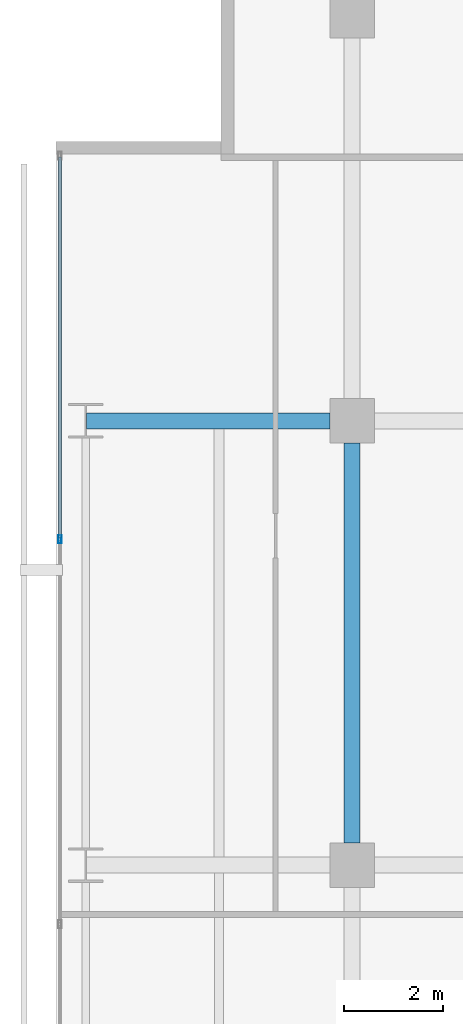
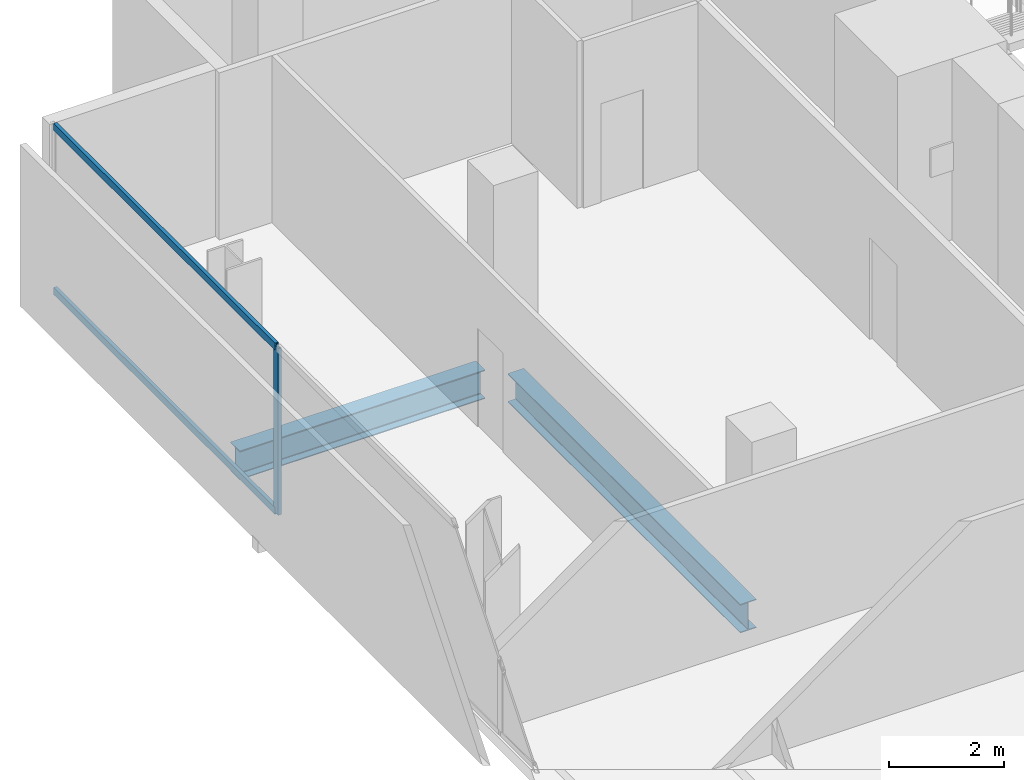
# One storey, part 23 of 39: 3 members, 2 beams, 1 element without a shape of its own.
"""IFC4 building model written with IfcOpenShell, lengths in metres."""

from ifc_helpers import new_model, si_unit, direction, frame, origin, origin_2d, place, context, subcontext, project, spatial, hollow_rectangle, i_section, extrude, material, layer, layer_set, material_profile, profile_set, type_object, element, aggregate, save


model = new_model("IFC4")

# Units and contexts
model_context = context("Model", 3, precision=1e-05, world=origin(), true_north=direction((0.0, 1.0)))
body_context = subcontext(model_context, "Body", "Model", "MODEL_VIEW")
ifc_project = project(units=[si_unit("LENGTHUNIT", "METRE"), si_unit("AREAUNIT", "SQUARE_METRE"), si_unit("VOLUMEUNIT", "CUBIC_METRE"), si_unit("PLANEANGLEUNIT", "RADIAN"), si_unit("MASSUNIT", "GRAM", prefix="KILO")], contexts=[model_context])

# Site, building, storey
site_placement = place(None, origin())
site = spatial("IfcSite", under=ifc_project, at=site_placement, CompositionType="ELEMENT")
building_placement = place(site_placement, origin())
building = spatial("IfcBuilding", under=site, at=building_placement, Name="Maruvema Waterfront Hotel and Observation Tower", CompositionType="ELEMENT")
storey_placement = place(building_placement, frame((0.0, 0.0, 111.64990234375)))
storey = spatial("IfcBuildingStorey", under=building, at=storey_placement, Name="L27", CompositionType="ELEMENT", Elevation=111.64990234375)

# Curtain wall, members
ifc_material_1 = material(Name="Anodised bronze aluminium and solar-control low-E IGU", Category="aluminium")
ifc_layer = layer(ifc_material_1, 0.159912109375, Name="Zone 1 Bronze Inner Thermal Curtain Wall System CW-02")
ifc_layer_set = layer_set([ifc_layer], Name="Anodised bronze aluminium and solar-control low-E IGU")
curtain_wall_type = type_object("IfcCurtainWallType", Name="Zone 1 Bronze Inner Thermal Curtain Wall System CW-02", PredefinedType="USERDEFINED", material=ifc_layer_set)
curtain_wall_placement = place(storey_placement, origin())
curtain_wall = element("IfcCurtainWall", 1, at=curtain_wall_placement, inside=storey, type_object=curtain_wall_type, Name="L27 Curtain Wall CW-L27-W", ObjectType="UNITISED CURTAIN WALL", PredefinedType="USERDEFINED")
ifc_material_2 = material(Name="Anodised architectural bronze aluminium", Category="aluminium")
ifc_material_profile_1 = material_profile(ifc_material_2, hollow_rectangle(XDim=0.070068359375, YDim=0.14990234375, WallThickness=0.00390625, at=origin_2d()), Name="ALU-T70x150")
ifc_profile_set_1 = profile_set([ifc_material_profile_1], Name="Anodised architectural bronze aluminium")
member_type_1 = type_object("IfcMemberType", Name="Curtain Wall Horizontal Transom ALU-T70x150", PredefinedType="USERDEFINED", material=ifc_profile_set_1)
member_1_placement = place(storey_placement, frame((10.8798828125, 50.340087890625, 0.030029296875), z_axis=(0.0, -1.0, 0.0), x_axis=(1.0, 0.0, 0.0)))
member_1 = element("IfcMember", 2, at=member_1_placement, type_object=member_type_1, Name="CW-02 transom 1.1", ObjectType="TRANSOM", PredefinedType="USERDEFINED", context=body_context, shape_type="SweptSolid", body=[
    extrude(hollow_rectangle(XDim=0.070068359375, YDim=0.14990234375, WallThickness=0.00390625, at=origin_2d()), origin(), (0.0, 0.0, 1.0), 7.710205078125),
])
member_2_placement = place(storey_placement, frame((10.8798828125, 50.340087890625, 3.52001953125), z_axis=(0.0, -1.0, 0.0), x_axis=(1.0, 0.0, 0.0)))
member_2 = element("IfcMember", 3, at=member_2_placement, type_object=member_type_1, Name="CW-02 transom 1.2", ObjectType="TRANSOM", PredefinedType="USERDEFINED", context=body_context, shape_type="SweptSolid", body=[
    extrude(hollow_rectangle(XDim=0.070068359375, YDim=0.14990234375, WallThickness=0.00390625, at=origin_2d()), origin(), (0.0, 0.0, 1.0), 7.710205078125),
])
ifc_material_3 = material(Name="Anodised architectural bronze aluminium", Category="aluminium")
ifc_material_profile_2 = material_profile(ifc_material_3, hollow_rectangle(XDim=0.06494140625, YDim=0.1650390625, WallThickness=0.00390625, at=origin_2d()), Name="ALU-M65x165")
ifc_profile_set_2 = profile_set([ifc_material_profile_2], Name="Anodised architectural bronze aluminium")
member_type_2 = type_object("IfcMemberType", Name="Curtain Wall Primary Mullion ALU-M65x165", PredefinedType="MULLION", material=ifc_profile_set_2)
member_3_placement = place(storey_placement, frame((10.8798828125, 42.60009765625, 0.0), z_axis=(0.0, 0.0, 1.0), x_axis=(1.0, 0.0, 0.0)))
member_3 = element("IfcMember", 4, at=member_3_placement, type_object=member_type_2, Name="CW-02 mullion 2", PredefinedType="MULLION", context=body_context, shape_type="SweptSolid", body=[
    extrude(hollow_rectangle(XDim=0.06494140625, YDim=0.1650390625, WallThickness=0.00390625, at=origin_2d()), origin(), (0.0, 0.0, 1.0), 3.550048828125),
])
aggregate(curtain_wall, [member_3, member_1, member_2])

# Beams
ifc_material_4 = material(Name="Steel ASTM A572 Grade 50", Category="steel")
ifc_material_profile_3 = material_profile(ifc_material_4, i_section(OverallWidth=0.323974609375, OverallDepth=0.611083984375, WebThickness=0.0126953125, FlangeThickness=0.01904296875, FilletRadius=0.01806640625, at=origin_2d()), Name="W610x155.0")
ifc_profile_set_3 = profile_set([ifc_material_profile_3], Name="Steel ASTM A572 Grade 50")
beam_type = type_object("IfcBeamType", Name="Primary Floor Girder W610x155.0", PredefinedType="BEAM", material=ifc_profile_set_3)
beam_1_placement = place(storey_placement, frame((11.4140625, 45.0, -0.54541015625), z_axis=(1.0, 0.0, 0.0), x_axis=(0.0, 1.0, 0.0)))
element("IfcBeam", 5, at=beam_1_placement, inside=storey, type_object=beam_type, Name="L27 Floor Girder EW-32", PredefinedType="BEAM", context=body_context, shape_type="SweptSolid", body=[
    extrude(i_section(OverallWidth=0.323974609375, OverallDepth=0.611083984375, WebThickness=0.0126953125, FlangeThickness=0.01904296875, FilletRadius=0.01806640625, at=origin_2d()), origin(), (0.0, 0.0, 1.0), 4.93603515625),
])
beam_2_placement = place(storey_placement, frame((16.800048828125, 36.449951171875, -0.54541015625), z_axis=(0.0, 1.0, 0.0), x_axis=(-1.0, 0.0, 0.0)))
element("IfcBeam", 6, at=beam_2_placement, inside=storey, type_object=beam_type, Name="L27 Floor Girder NS-09", PredefinedType="BEAM", context=body_context, shape_type="SweptSolid", body=[
    extrude(i_section(OverallWidth=0.323974609375, OverallDepth=0.611083984375, WebThickness=0.0126953125, FlangeThickness=0.01904296875, FilletRadius=0.01806640625, at=origin_2d()), origin(), (0.0, 0.0, 1.0), 8.10009765625),
])

save(model, "model.ifc")
